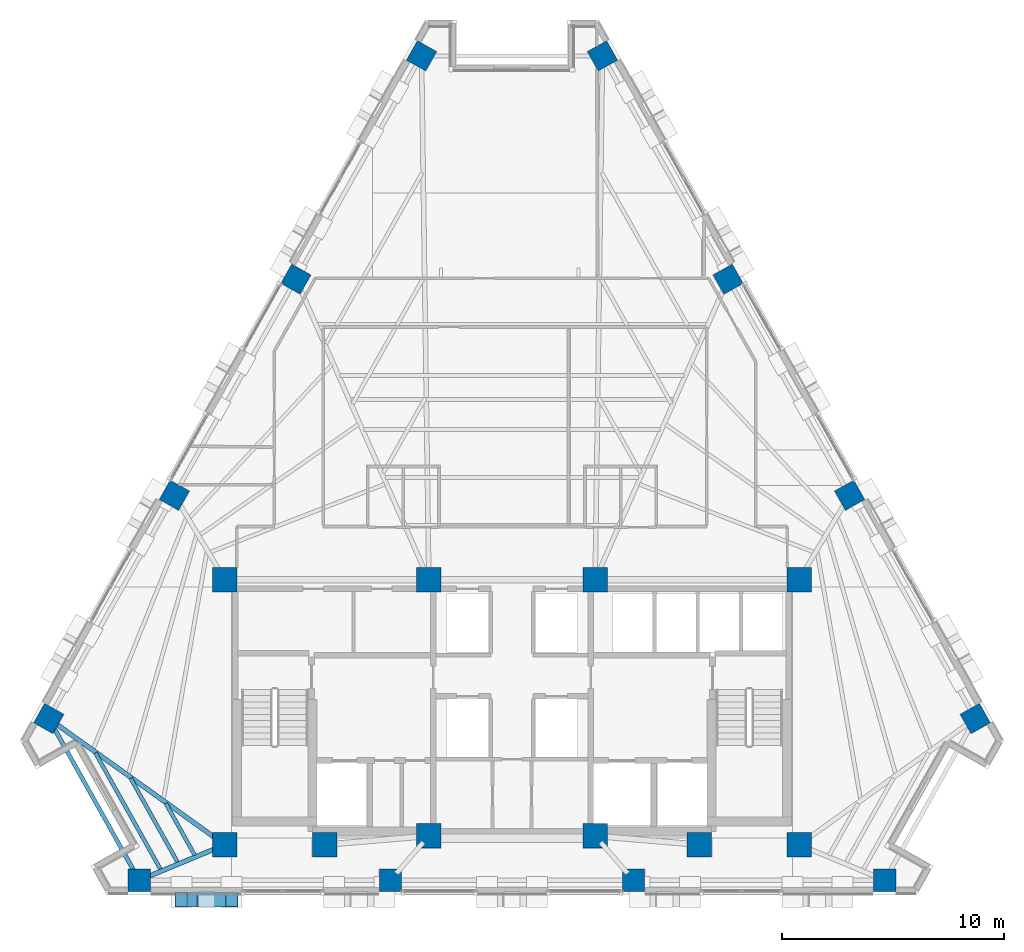
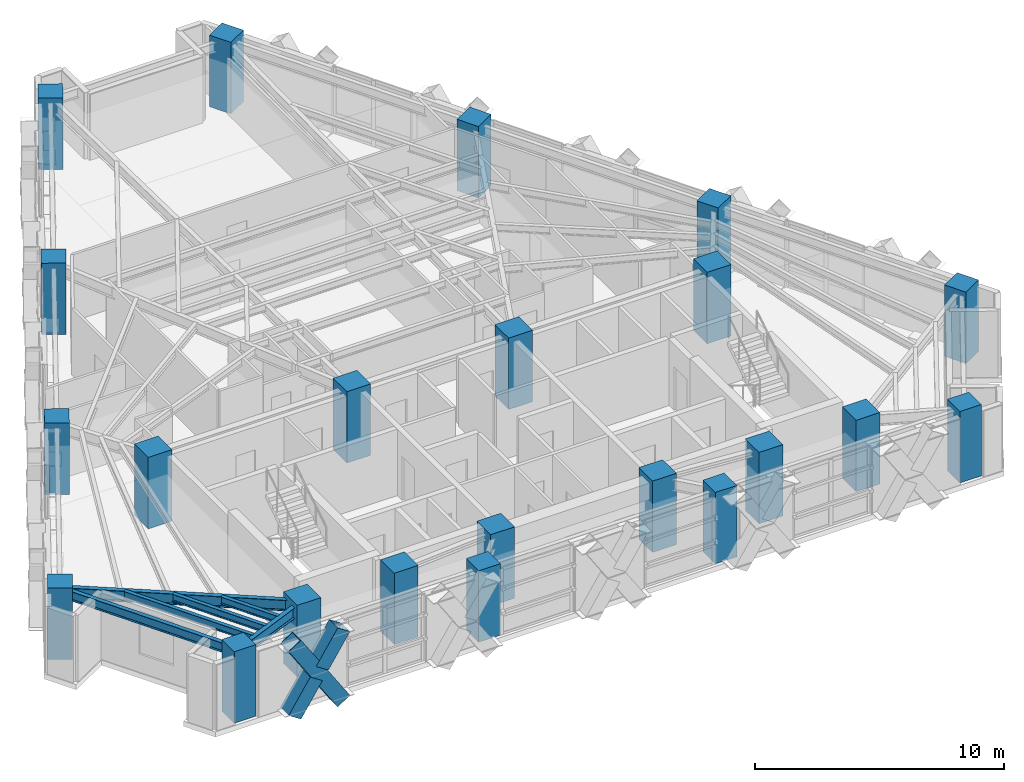
# One storey, part 1 of 14: 22 columns, 6 beams, 3 members.
"""IFC4 building model written with IfcOpenShell, lengths in metres."""

from ifc_helpers import new_model, si_unit, direction, frame, origin, origin_2d, place, context, subcontext, project, spatial, rectangle, hollow_rectangle, i_section, extrude, material, material_profile, profile_set, type_object, element, save


model = new_model("IFC4")

# Units and contexts
model_context = context("Model", 3, precision=1e-05, world=origin(), true_north=direction((0.0, 1.0)))
body_context = subcontext(model_context, "Body", "Model", "MODEL_VIEW")
ifc_project = project(units=[si_unit("LENGTHUNIT", "METRE"), si_unit("AREAUNIT", "SQUARE_METRE"), si_unit("VOLUMEUNIT", "CUBIC_METRE"), si_unit("PLANEANGLEUNIT", "RADIAN"), si_unit("MASSUNIT", "GRAM", prefix="KILO")], contexts=[model_context])

# Site, building, storey
site_placement = place(None, origin())
site = spatial("IfcSite", under=ifc_project, at=site_placement, CompositionType="ELEMENT")
building_placement = place(site_placement, origin())
building = spatial("IfcBuilding", under=site, at=building_placement, Name="Quenlor Broadcast Tower", CompositionType="ELEMENT")
storey_placement = place(building_placement, frame((0.0, 0.0, 154.5)))
storey = spatial("IfcBuildingStorey", under=building, at=storey_placement, Name="L42", CompositionType="ELEMENT", Elevation=154.5)

# Columns
ifc_material_1 = material(Name="Concrete C65/80", Category="concrete")
ifc_material_profile_1 = material_profile(ifc_material_1, rectangle(XDim=1.10009765625, YDim=1.10009765625, at=origin_2d()))
ifc_profile_set_1 = profile_set([ifc_material_profile_1], Name="Concrete C65/80 RC1100x1100")
column_type_1 = type_object("IfcColumnType", Name="Core Corner Column Mid Concrete C65/80 1100", PredefinedType="COLUMN", material=ifc_profile_set_1)
for number, where, z_axis, x_axis, name in (
    (1, (-12.949951171875, -16.75, 0.0), (0.0, 0.0, 1.0), (1.0, 0.0, 0.0), "L42 Core Column CC1"),
    (2, (-8.449951171875, -16.75, 0.0), (0.0, 0.0, 1.0), (1.0, 0.0, 0.0), "L42 Core Column CC2"),
    (3, (-3.75, -16.35009765625, 0.0), (0.0, 0.0, 1.0), (1.0, 0.0, 0.0), "L42 Core Column CC3"),
    (4, (3.75, -16.35009765625, 0.0), (0.0, 0.0, 1.0), (1.0, 0.0, 0.0), "L42 Core Column CC4"),
    (5, (8.449951171875, -16.75, 0.0), (0.0, 0.0, 1.0), (1.0, 0.0, 0.0), "L42 Core Column CC5"),
    (6, (12.949951171875, -16.75, 0.0), (0.0, 0.0, 1.0), (1.0, 0.0, 0.0), "L42 Core Column CC6"),
    (7, (-12.949951171875, -4.800048828125, 0.0), (0.0, 0.0, 1.0), (1.0, 0.0, 0.0), "L42 Core Column CC7"),
    (8, (-3.75, -4.800048828125, 0.0), (0.0, 0.0, 1.0), (1.0, 0.0, 0.0), "L42 Core Column CC8"),
    (9, (3.75, -4.800048828125, 0.0), (0.0, 0.0, 1.0), (1.0, 0.0, 0.0), "L42 Core Column CC9"),
    (10, (12.949951171875, -4.800048828125, 0.0), (0.0, 0.0, 1.0), (1.0, 0.0, 0.0), "L42 Core Column CC10"),
):
    element("IfcColumn", number, at=place(storey_placement, frame(where, z_axis=z_axis, x_axis=x_axis)), inside=storey, type_object=column_type_1, Name=name, PredefinedType="COLUMN", context=body_context, shape_type="SweptSolid", body=[
        extrude(rectangle(XDim=1.10009765625, YDim=1.10009765625, at=origin_2d()), origin(), (0.0, 0.0, 1.0), 3.5),
    ])
ifc_material_2 = material(Name="Concrete C50/60", Category="concrete")
ifc_material_profile_2 = material_profile(ifc_material_2, rectangle(XDim=1.0, YDim=1.0, at=origin_2d()))
ifc_profile_set_2 = profile_set([ifc_material_profile_2], Name="Concrete C50/60 RC1000x1000")
column_type_2 = type_object("IfcColumnType", Name="Tower Perimeter Column Z3 Concrete C50/60 1000", PredefinedType="COLUMN", material=ifc_profile_set_2)
for number, where, z_axis, x_axis, name in (
    (11, (-16.808349609375, -18.35009765625, 0.0), (0.0, 0.0, 1.0), (0.0, 1.0, 0.0), "L42 Perimeter Column S1"),
    (12, (-5.48095703125, -18.35009765625, 0.0), (0.0, 0.0, 1.0), (0.0, 1.0, 0.0), "L42 Perimeter Column S2"),
    (13, (5.48095703125, -18.35009765625, 0.0), (0.0, 0.0, 1.0), (0.0, 1.0, 0.0), "L42 Perimeter Column S3"),
    (14, (16.808349609375, -18.35009765625, 0.0), (0.0, 0.0, 1.0), (0.0, 1.0, 0.0), "L42 Perimeter Column S4"),
    (15, (20.8876953125, -11.0595703125, 0.0), (0.0, 0.0, 1.0), (0.871575139605, 0.490261946333, 0.0), "L42 Perimeter Column NE1"),
    (16, (15.22412109375, -0.99072265625, 0.0), (0.0, 0.0, 1.0), (0.871575139605, 0.490261946333, 0.0), "L42 Perimeter Column NE2"),
    (17, (9.742919921875, 8.75341796875, 0.0), (0.0, 0.0, 1.0), (0.871575139605, 0.490261946333, 0.0), "L42 Perimeter Column NE3"),
    (18, (4.079345703125, 18.822021484375, 0.0), (0.0, 0.0, 1.0), (0.871575139605, 0.490261946333, 0.0), "L42 Perimeter Column NE4"),
    (19, (-4.079345703125, 18.822021484375, 0.0), (0.0, 0.0, 1.0), (-0.871575139605, 0.490261946333, 0.0), "L42 Perimeter Column NW1"),
    (20, (-9.742919921875, 8.75341796875, 0.0), (0.0, 0.0, 1.0), (-0.871575139605, 0.490261946333, 0.0), "L42 Perimeter Column NW2"),
    (21, (-15.22412109375, -0.99072265625, 0.0), (0.0, 0.0, 1.0), (-0.871575139605, 0.490261946333, 0.0), "L42 Perimeter Column NW3"),
    (22, (-20.8876953125, -11.0595703125, 0.0), (0.0, 0.0, 1.0), (-0.871575139605, 0.490261946333, 0.0), "L42 Perimeter Column NW4"),
):
    element("IfcColumn", number, at=place(storey_placement, frame(where, z_axis=z_axis, x_axis=x_axis)), inside=storey, type_object=column_type_2, Name=name, PredefinedType="COLUMN", context=body_context, shape_type="SweptSolid", body=[
        extrude(rectangle(XDim=1.0, YDim=1.0, at=origin_2d()), origin(), (0.0, 0.0, 1.0), 3.5),
    ])

# Members
ifc_material_3 = material(Name="Steel S355", Category="steel")
ifc_material_profile_3 = material_profile(ifc_material_3, hollow_rectangle(XDim=0.679931640625, YDim=0.679931640625, WallThickness=0.02490234375, at=origin_2d()))
ifc_profile_set_3 = profile_set([ifc_material_profile_3], Name="Steel S355 RHS680x680x25")
member_type = type_object("IfcMemberType", Name="Perimeter Diagonal Lattice Brace Z3-Z4 Steel S355 RHS680x25", PredefinedType="BRACE", material=ifc_profile_set_3)
member_1_placement = place(storey_placement, frame((-12.641845703125, -19.219970703125, -0.1201171875), z_axis=(-0.543860340502, 0.0, 0.839175744424), x_axis=(0.0, -1.0, 0.0)))
element("IfcMember", 23, at=member_1_placement, inside=storey, type_object=member_type, Name="L42 Perimeter Diamond Lattice S-C5XA", PredefinedType="BRACE", context=body_context, shape_type="SweptSolid", body=[
    extrude(hollow_rectangle(XDim=0.679931640625, YDim=0.679931640625, WallThickness=0.02490234375, at=origin_2d()), origin(), (0.0, 0.0, 1.0), 4.170654296875),
])
member_2_placement = place(storey_placement, frame((-14.91015625, -19.219970703125, -0.1201171875), z_axis=(0.543786168213, 0.0, 0.839223809994), x_axis=(0.0, 1.0, 0.0)))
element("IfcMember", 24, at=member_2_placement, inside=storey, type_object=member_type, Name="L42 Perimeter Diamond Lattice S-C5XB1", PredefinedType="BRACE", context=body_context, shape_type="SweptSolid", body=[
    extrude(hollow_rectangle(XDim=0.679931640625, YDim=0.679931640625, WallThickness=0.02490234375, at=origin_2d()), origin(), (0.0, 0.0, 1.0), 1.83544921875),
])
member_3_placement = place(storey_placement, frame((-13.639892578125, -19.219970703125, 1.83984375), z_axis=(0.543846878394, 0.0, 0.839184468911), x_axis=(0.0, 1.0, 0.0)))
element("IfcMember", 25, at=member_3_placement, inside=storey, type_object=member_type, Name="L42 Perimeter Diamond Lattice S-C5XB2", PredefinedType="BRACE", context=body_context, shape_type="SweptSolid", body=[
    extrude(hollow_rectangle(XDim=0.679931640625, YDim=0.679931640625, WallThickness=0.02490234375, at=origin_2d()), origin(), (0.0, 0.0, 1.0), 1.835205078125),
])

# Beams
ifc_material_4 = material(Name="Steel S355", Category="steel")
ifc_material_profile_4 = material_profile(ifc_material_4, i_section(OverallWidth=0.19091796875, OverallDepth=0.46044921875, WebThickness=0.010009765625, FlangeThickness=0.01611328125, FilletRadius=0.011474609375, at=origin_2d()))
ifc_profile_set_4 = profile_set([ifc_material_profile_4], Name="Steel S355 460UB82.1")
beam_type_1 = type_object("IfcBeamType", Name="Perimeter Spandrel Beam Z3 Steel S355 460UB82.1", PredefinedType="SPANDREL", material=ifc_profile_set_4)
beam_1_placement = place(storey_placement, frame((-20.6875, -11.417236328125, 3.019775390625), z_axis=(0.488298439934, -0.872676706208, 0.0), x_axis=(0.872676706208, 0.488298439934, 0.0)))
element("IfcBeam", 26, at=beam_1_placement, inside=storey, type_object=beam_type_1, Name="L42 Spandrel Beam NW4-S1", PredefinedType="SPANDREL", context=body_context, shape_type="SweptSolid", body=[
    extrude(i_section(OverallWidth=0.19091796875, OverallDepth=0.46044921875, WebThickness=0.010009765625, FlangeThickness=0.01611328125, FilletRadius=0.011474609375, at=origin_2d()), origin(), (0.0, 0.0, 1.0), 7.5341796875),
])
ifc_material_5 = material(Name="Steel S355", Category="steel")
ifc_material_profile_5 = material_profile(ifc_material_5, i_section(OverallWidth=0.172119140625, OverallDepth=0.358642578125, WebThickness=0.008056640625, FlangeThickness=0.012939453125, FilletRadius=0.011474609375, at=origin_2d()))
ifc_profile_set_5 = profile_set([ifc_material_profile_5], Name="Steel S355 360UB56.7")
beam_type_2 = type_object("IfcBeamType", Name="Tower Composite Joist Z2-Z3 Steel S355 360UB56.7", PredefinedType="JOIST", material=ifc_profile_set_5)
beam_2_placement = place(storey_placement, frame((-14.30078125, -17.22412109375, 3.07080078125), z_axis=(-0.488370382241, 0.87263644764, 0.0), x_axis=(-0.87263644764, -0.488370382241, 0.0)))
element("IfcBeam", 27, at=beam_2_placement, inside=storey, type_object=beam_type_2, Name="L42 Secondary Composite Joist 19", PredefinedType="JOIST", context=body_context, shape_type="SweptSolid", body=[
    extrude(i_section(OverallWidth=0.172119140625, OverallDepth=0.358642578125, WebThickness=0.008056640625, FlangeThickness=0.012939453125, FilletRadius=0.011474609375, at=origin_2d()), origin(), (0.0, 0.0, 1.0), 2.680419921875),
])
beam_3_placement = place(storey_placement, frame((-15.072509765625, -17.544189453125, 3.07080078125), z_axis=(-0.488294103756, 0.872679132463, 0.0), x_axis=(-0.872679132463, -0.488294103756, 0.0)))
element("IfcBeam", 28, at=beam_3_placement, inside=storey, type_object=beam_type_2, Name="L42 Secondary Composite Joist 20", PredefinedType="JOIST", context=body_context, shape_type="SweptSolid", body=[
    extrude(i_section(OverallWidth=0.172119140625, OverallDepth=0.358642578125, WebThickness=0.008056640625, FlangeThickness=0.012939453125, FilletRadius=0.011474609375, at=origin_2d()), origin(), (0.0, 0.0, 1.0), 4.351318359375),
])
beam_4_placement = place(storey_placement, frame((-15.84423828125, -17.8642578125, 3.07080078125), z_axis=(-0.488308300212, 0.872671188905, 0.0), x_axis=(-0.872671188905, -0.488308300212, 0.0)))
element("IfcBeam", 29, at=beam_4_placement, inside=storey, type_object=beam_type_2, Name="L42 Secondary Composite Joist 21", PredefinedType="JOIST", context=body_context, shape_type="SweptSolid", body=[
    extrude(i_section(OverallWidth=0.172119140625, OverallDepth=0.358642578125, WebThickness=0.008056640625, FlangeThickness=0.012939453125, FilletRadius=0.011474609375, at=origin_2d()), origin(), (0.0, 0.0, 1.0), 6.022216796875),
])
ifc_material_6 = material(Name="Steel S355", Category="steel")
ifc_material_profile_6 = material_profile(ifc_material_6, i_section(OverallWidth=0.208984375, OverallDepth=0.532958984375, WebThickness=0.01025390625, FlangeThickness=0.015625, FilletRadius=0.013916015625, at=origin_2d()))
ifc_profile_set_6 = profile_set([ifc_material_profile_6], Name="Steel S355 530UB92.4")
beam_type_3 = type_object("IfcBeamType", Name="Tower Primary Floor Beam Z3 Steel S355 530UB92.4", PredefinedType="BEAM", material=ifc_profile_set_6)
beam_5_placement = place(storey_placement, frame((-16.4296875, -18.19287109375, 2.9833984375), z_axis=(0.923730294618, 0.383043525993, 0.0), x_axis=(-0.383043525993, 0.923730294618, 0.0)))
element("IfcBeam", 30, at=beam_5_placement, inside=storey, type_object=beam_type_3, Name="L42 Primary Radial Beam S1", PredefinedType="BEAM", context=body_context, shape_type="SweptSolid", body=[
    extrude(i_section(OverallWidth=0.208984375, OverallDepth=0.532958984375, WebThickness=0.01025390625, FlangeThickness=0.015625, FilletRadius=0.013916015625, at=origin_2d()), origin(), (0.0, 0.0, 1.0), 3.386962890625),
])
beam_6_placement = place(storey_placement, frame((-20.554443359375, -11.29833984375, 2.9833984375), z_axis=(0.812728908832, -0.582642017666, 0.0), x_axis=(0.582642017666, 0.812728908832, 0.0)))
element("IfcBeam", 31, at=beam_6_placement, inside=storey, type_object=beam_type_3, Name="L42 Primary Radial Beam NW4", PredefinedType="BEAM", context=body_context, shape_type="SweptSolid", body=[
    extrude(i_section(OverallWidth=0.208984375, OverallDepth=0.532958984375, WebThickness=0.01025390625, FlangeThickness=0.015625, FilletRadius=0.013916015625, at=origin_2d()), origin(), (0.0, 0.0, 1.0), 8.976806640625),
])

save(model, "model.ifc")
